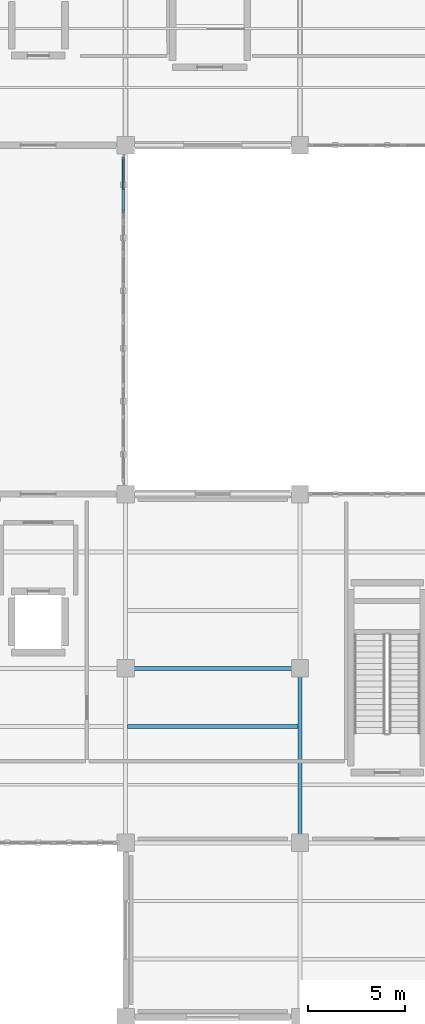
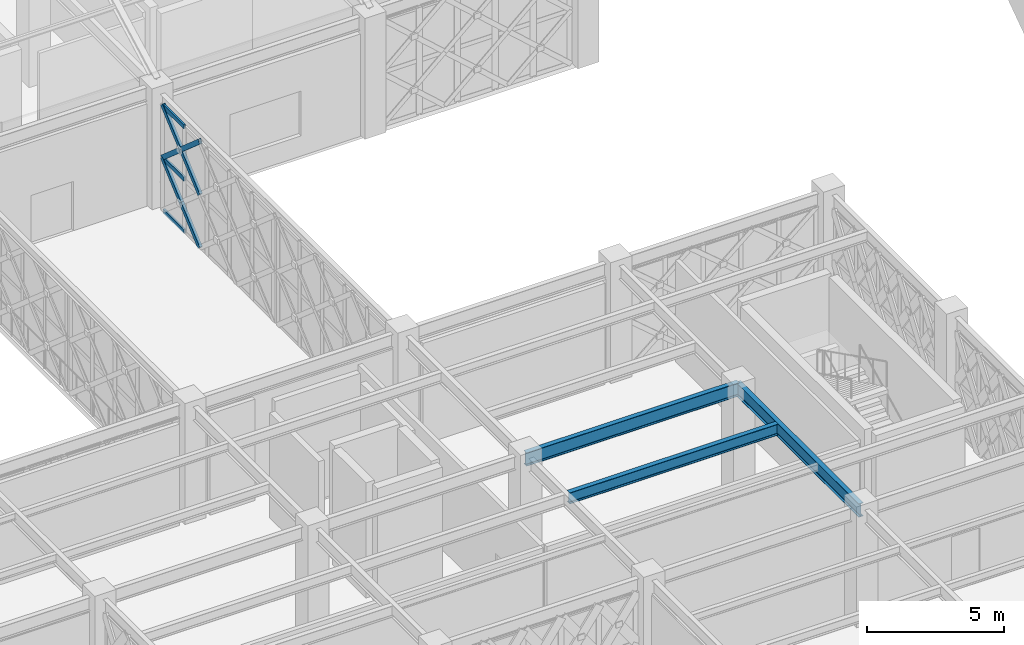
# One storey, part 22 of 166: 8 members, 3 beams, 1 element without a shape of its own.
"""IFC4 building model written with IfcOpenShell, lengths in metres."""

from ifc_helpers import new_model, si_unit, direction, frame, origin, origin_2d, place, context, subcontext, project, spatial, hollow_rectangle, i_section, extrude, material, material_profile, profile_set, type_object, element, aggregate, save


model = new_model("IFC4")

# Units and contexts
model_context = context("Model", 3, precision=1e-05, world=origin(), true_north=direction((0.0, 1.0)))
body_context = subcontext(model_context, "Body", "Model", "MODEL_VIEW")
ifc_project = project(units=[si_unit("LENGTHUNIT", "METRE"), si_unit("AREAUNIT", "SQUARE_METRE"), si_unit("VOLUMEUNIT", "CUBIC_METRE"), si_unit("PLANEANGLEUNIT", "RADIAN"), si_unit("MASSUNIT", "GRAM", prefix="KILO")], contexts=[model_context])

# Site, building, storey
site_placement = place(None, origin())
site = spatial("IfcSite", under=ifc_project, at=site_placement, CompositionType="ELEMENT")
building_placement = place(site_placement, origin())
building = spatial("IfcBuilding", under=site, at=building_placement, Name="Haizhuo Lancet Aquarium", CompositionType="ELEMENT")
storey_placement = place(building_placement, frame((0.0, 0.0, 5.39990234375)))
storey = spatial("IfcBuildingStorey", under=building, at=storey_placement, Name="L01", CompositionType="ELEMENT", Elevation=5.39990234375)

# Beams
ifc_material_1 = material(Name="Steel S355", Category="steel")
ifc_material_profile_1 = material_profile(ifc_material_1, i_section(OverallWidth=0.199951171875, OverallDepth=0.60009765625, WebThickness=0.010986328125, FlangeThickness=0.01708984375, FilletRadius=0.02197265625, at=origin_2d()), Name="HN 600x200x11x17")
ifc_profile_set_1 = profile_set([ifc_material_profile_1], Name="Steel S355")
beam_type_1 = type_object("IfcBeamType", Name="BM-ST-HN600", PredefinedType="BEAM", material=ifc_profile_set_1)
for number, where, z_axis, x_axis, name in (
    (1, (-54.0, -18.0, 4.840087890625), (1.0, 0.0, 0.0), (0.0, 1.0, 0.0), "L01 V6 primary girder BM-L01-V6-019"),
    (2, (-45.0, -27.0, 4.840087890625), (0.0, 1.0, 0.0), (-1.0, 0.0, 0.0), "L01 V6 primary girder BM-L01-V6-023"),
):
    element("IfcBeam", number, at=place(storey_placement, frame(where, z_axis=z_axis, x_axis=x_axis)), inside=storey, type_object=beam_type_1, Name=name, PredefinedType="BEAM", context=body_context, shape_type="SweptSolid", body=[
        extrude(i_section(OverallWidth=0.199951171875, OverallDepth=0.60009765625, WebThickness=0.010986328125, FlangeThickness=0.01708984375, FilletRadius=0.02197265625, at=origin_2d()), origin(), (0.0, 0.0, 1.0), 9.0),
    ])

# Curtain wall, members
ifc_material_2 = material(Name="Aluminium 6063-T6", Category="aluminium")
curtain_wall_type = type_object("IfcCurtainWallType", Name="CWO-8200x4750", PredefinedType="NOTDEFINED", material=ifc_material_2)
curtain_wall_placement = place(storey_placement, origin())
curtain_wall = element("IfcCurtainWall", 3, at=curtain_wall_placement, inside=storey, type_object=curtain_wall_type, Name="L01 curtain wall CW-SB-01-E2", PredefinedType="NOTDEFINED")
ifc_material_profile_2 = material_profile(ifc_material_2, hollow_rectangle(XDim=0.080078125, YDim=0.18994140625, WallThickness=0.0048828125, at=origin_2d()), Name="ALU-T 80x190x5")
ifc_profile_set_2 = profile_set([ifc_material_profile_2], Name="Aluminium 6063-T6")
member_type_1 = type_object("IfcMemberType", Name="CW-TRN-3", PredefinedType="NOTDEFINED", material=ifc_profile_set_2)
member_1_placement = place(storey_placement, frame((-54.1201171875, 8.239990234375, 0.0400390625), z_axis=(0.0, -1.0, 0.0), x_axis=(1.0, 0.0, 0.0)))
member_1 = element("IfcMember", 4, at=member_1_placement, type_object=member_type_1, Name="CWO-82x47 transom 1.1", ObjectType="TRANSOM", PredefinedType="USERDEFINED", context=body_context, shape_type="SweptSolid", body=[
    extrude(hollow_rectangle(XDim=0.080078125, YDim=0.18994140625, WallThickness=0.0048828125, at=origin_2d()), origin(), (0.0, 0.0, 1.0), 1.52001953125),
])
member_2_placement = place(storey_placement, frame((-54.1201171875, 8.239990234375, 2.375), z_axis=(0.0, -1.0, 0.0), x_axis=(1.0, 0.0, 0.0)))
member_2 = element("IfcMember", 5, at=member_2_placement, type_object=member_type_1, Name="CWO-82x47 transom 1.2", ObjectType="TRANSOM", PredefinedType="USERDEFINED", context=body_context, shape_type="SweptSolid", body=[
    extrude(hollow_rectangle(XDim=0.080078125, YDim=0.18994140625, WallThickness=0.0048828125, at=origin_2d()), origin(), (0.0, 0.0, 1.0), 1.52001953125),
])
member_3_placement = place(storey_placement, frame((-54.1201171875, 8.239990234375, 4.710205078125), z_axis=(0.0, -1.0, 0.0), x_axis=(1.0, 0.0, 0.0)))
member_3 = element("IfcMember", 6, at=member_3_placement, type_object=member_type_1, Name="CWO-82x47 transom 1.3", ObjectType="TRANSOM", PredefinedType="USERDEFINED", context=body_context, shape_type="SweptSolid", body=[
    extrude(hollow_rectangle(XDim=0.080078125, YDim=0.18994140625, WallThickness=0.0048828125, at=origin_2d()), origin(), (0.0, 0.0, 1.0), 1.52001953125),
])
aggregate(curtain_wall, [member_1, member_2, member_3])

# Beam
ifc_material_profile_3 = material_profile(ifc_material_1, i_section(OverallWidth=0.199951171875, OverallDepth=0.5, WebThickness=0.010009765625, FlangeThickness=0.01611328125, FilletRadius=0.02001953125, at=origin_2d()), Name="HN 500x200x10x16")
ifc_profile_set_3 = profile_set([ifc_material_profile_3], Name="Steel S355")
beam_type_2 = type_object("IfcBeamType", Name="JST-ST-HN500", PredefinedType="JOIST", material=ifc_profile_set_3)
beam_placement = place(storey_placement, frame((-53.89990234375, -21.0, 4.89013671875), z_axis=(1.0, 0.0, 0.0), x_axis=(0.0, 1.0, 0.0)))
element("IfcBeam", 7, at=beam_placement, inside=storey, type_object=beam_type_2, Name="L01 V6 secondary floor joist 13", PredefinedType="JOIST", context=body_context, shape_type="SweptSolid", body=[
    extrude(i_section(OverallWidth=0.199951171875, OverallDepth=0.5, WebThickness=0.010009765625, FlangeThickness=0.01611328125, FilletRadius=0.02001953125, at=origin_2d()), origin(), (0.0, 0.0, 1.0), 8.7998046875),
])

# Members
ifc_material_profile_4 = material_profile(ifc_material_1, hollow_rectangle(XDim=0.1201171875, YDim=0.199951171875, WallThickness=0.008056640625, at=origin_2d()), Name="RHS 120x200x8")
ifc_profile_set_4 = profile_set([ifc_material_profile_4], Name="Steel S355")
member_type_2 = type_object("IfcMemberType", Name="MEM-LB-RHS120x200", PredefinedType="BRACE", material=ifc_profile_set_4)
member_4_placement = place(storey_placement, frame((-54.1201171875, 5.5869140625, 0.0), z_axis=(0.0, 0.754843428724, 0.655905022173), x_axis=(-1.0, 0.0, 0.0)))
element("IfcMember", 8, at=member_4_placement, inside=storey, type_object=member_type_2, Name="Gothic lancet split diagonal brace CW-SB-01-E2 1B1", PredefinedType="BRACE", context=body_context, shape_type="SweptSolid", body=[
    extrude(hollow_rectangle(XDim=0.1201171875, YDim=0.199951171875, WallThickness=0.008056640625, at=origin_2d()), origin(), (0.0, 0.0, 1.0), 1.811279296875),
])
member_5_placement = place(storey_placement, frame((-54.1201171875, 6.9541015625, 1.18798828125), z_axis=(0.0, 0.754820407976, 0.655931514491), x_axis=(-1.0, 0.0, 0.0)))
element("IfcMember", 9, at=member_5_placement, inside=storey, type_object=member_type_2, Name="Gothic lancet split diagonal brace CW-SB-01-E2 1B2", PredefinedType="BRACE", context=body_context, shape_type="SweptSolid", body=[
    extrude(hollow_rectangle(XDim=0.1201171875, YDim=0.199951171875, WallThickness=0.008056640625, at=origin_2d()), origin(), (0.0, 0.0, 1.0), 1.8095703125),
])
member_6_placement = place(storey_placement, frame((-54.1201171875, 8.320068359375, 2.375), z_axis=(0.0, -0.754831923432, 0.655918262719), x_axis=(1.0, 0.0, 0.0)))
element("IfcMember", 10, at=member_6_placement, inside=storey, type_object=member_type_2, Name="Gothic lancet continuous diagonal brace CW-SB-01-E2 2A", PredefinedType="BRACE", context=body_context, shape_type="SweptSolid", body=[
    extrude(hollow_rectangle(XDim=0.1201171875, YDim=0.199951171875, WallThickness=0.008056640625, at=origin_2d()), origin(), (0.0, 0.0, 1.0), 3.620849609375),
])
member_7_placement = place(storey_placement, frame((-54.1201171875, 5.5869140625, 2.375), z_axis=(0.0, 0.754843428724, 0.655905022173), x_axis=(-1.0, 0.0, 0.0)))
element("IfcMember", 11, at=member_7_placement, inside=storey, type_object=member_type_2, Name="Gothic lancet split diagonal brace CW-SB-01-E2 2B1", PredefinedType="BRACE", context=body_context, shape_type="SweptSolid", body=[
    extrude(hollow_rectangle(XDim=0.1201171875, YDim=0.199951171875, WallThickness=0.008056640625, at=origin_2d()), origin(), (0.0, 0.0, 1.0), 1.811279296875),
])
member_8_placement = place(storey_placement, frame((-54.1201171875, 6.9541015625, 3.56298828125), z_axis=(0.0, 0.754820407976, 0.655931514491), x_axis=(-1.0, 0.0, 0.0)))
element("IfcMember", 12, at=member_8_placement, inside=storey, type_object=member_type_2, Name="Gothic lancet split diagonal brace CW-SB-01-E2 2B2", PredefinedType="BRACE", context=body_context, shape_type="SweptSolid", body=[
    extrude(hollow_rectangle(XDim=0.1201171875, YDim=0.199951171875, WallThickness=0.008056640625, at=origin_2d()), origin(), (0.0, 0.0, 1.0), 1.8095703125),
])

save(model, "model.ifc")
